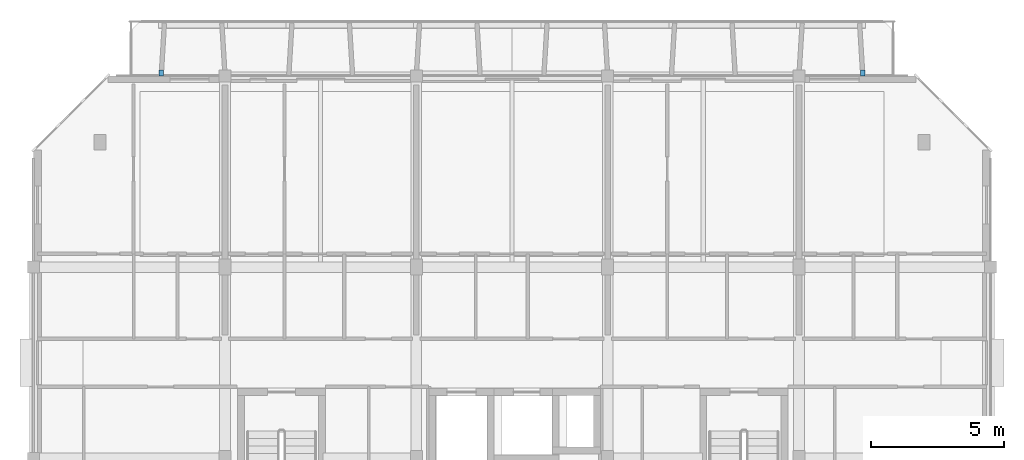
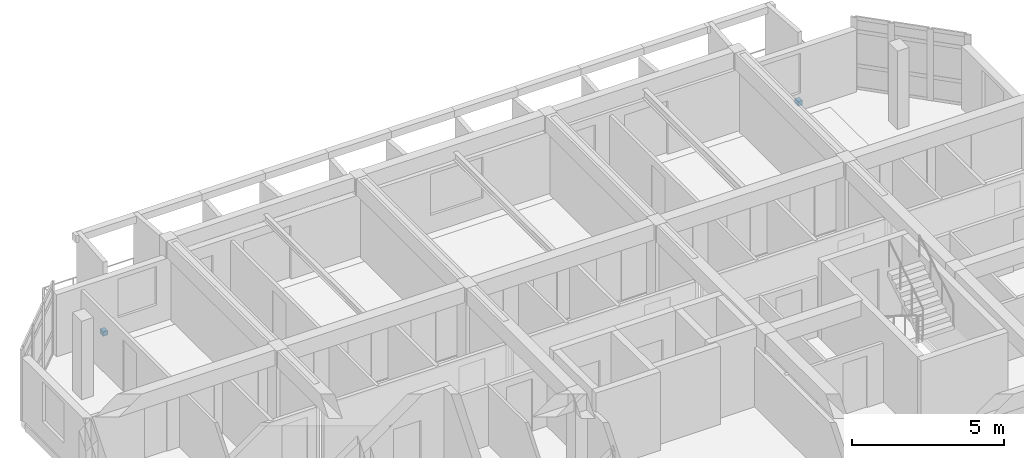
# One storey, part 16 of 22: 2 discrete accessories.
"""IFC4 building model written with IfcOpenShell, lengths in metres."""

from ifc_helpers import new_model, si_unit, direction, frame, origin, origin_2d, place, context, subcontext, project, spatial, rectangle, extrude, material, type_object, element, save


model = new_model("IFC4")

# Units and contexts
model_context = context("Model", 3, precision=1e-05, world=origin(), true_north=direction((0.0, 1.0)))
body_context = subcontext(model_context, "Body", "Model", "MODEL_VIEW")
ifc_project = project(units=[si_unit("LENGTHUNIT", "METRE"), si_unit("AREAUNIT", "SQUARE_METRE"), si_unit("VOLUMEUNIT", "CUBIC_METRE"), si_unit("PLANEANGLEUNIT", "RADIAN"), si_unit("MASSUNIT", "GRAM", prefix="KILO")], contexts=[model_context])

# Site, building, storey
site_placement = place(None, origin())
site = spatial("IfcSite", under=ifc_project, at=site_placement, CompositionType="ELEMENT")
building_placement = place(site_placement, origin())
building = spatial("IfcBuilding", under=site, at=building_placement, Name="Ochrevale Crest", CompositionType="ELEMENT")
storey_placement = place(building_placement, frame((0.0, 0.0, 40.199951171875)))
storey = spatial("IfcBuildingStorey", under=building, at=storey_placement, Name="L12", CompositionType="ELEMENT", Elevation=40.199951171875)

# Discrete accessories
ifc_material = material(Name="Galvanised steel", Category="steel")
discrete_accessory_type = type_object("IfcDiscreteAccessoryType", Name="ACC-BRK-HC", PredefinedType="BRACKET", material=ifc_material)
for number, where, z_axis, x_axis, name in (
    (1, (134.39990234375, 93.699951171875, 0.0), (0.0, 0.0, 1.0), (1.0, 0.0, 0.0), "Block D L12 precast loggia corbel bracket"),
    (2, (160.800048828125, 93.699951171875, 0.0), (0.0, 0.0, 1.0), (1.0, 0.0, 0.0), "Block D L12 precast loggia corbel bracket"),
):
    element("IfcDiscreteAccessory", number, at=place(storey_placement, frame(where, z_axis=z_axis, x_axis=x_axis)), inside=storey, type_object=discrete_accessory_type, Name=name, PredefinedType="BRACKET", context=body_context, shape_type="SweptSolid", body=[
        extrude(rectangle(XDim=0.179931640625, YDim=0.219970703125, at=origin_2d()), origin(), (0.0, 0.0, 1.0), 0.179931640625),
    ])

save(model, "model.ifc")
